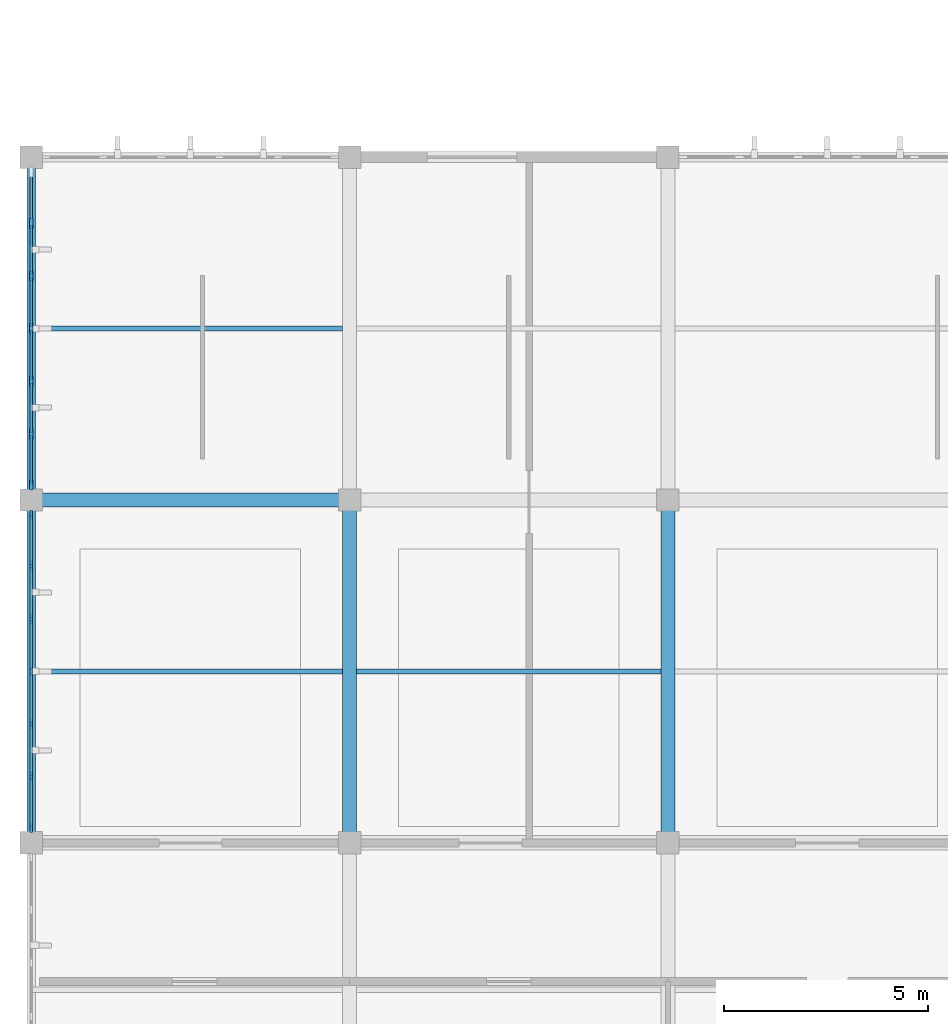
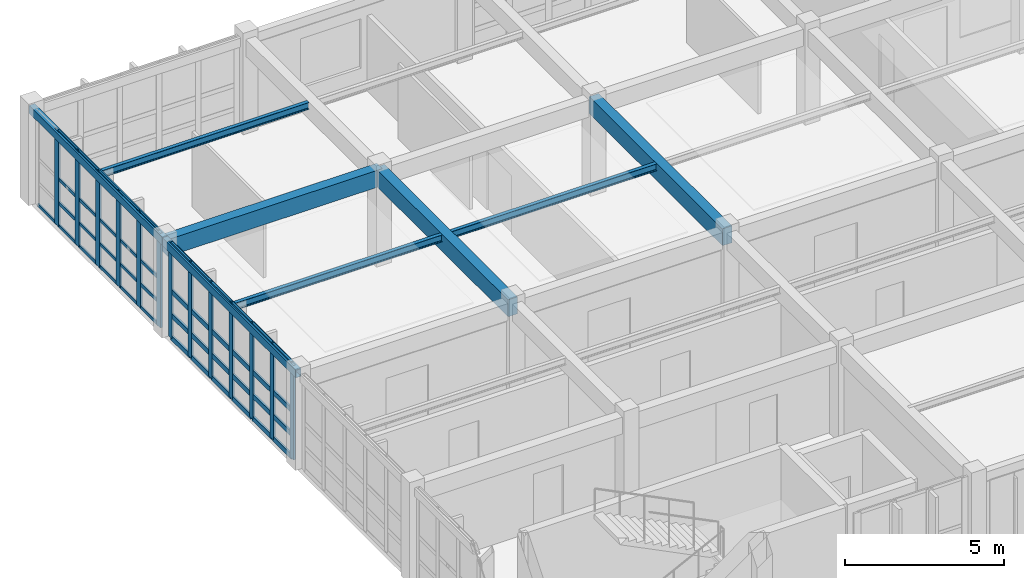
# One storey, part 8 of 35: 58 members, 8 beams, 2 elements without a shape of their own.
"""IFC4 building model written with IfcOpenShell, lengths in metres."""

from ifc_helpers import new_model, si_unit, direction, frame, origin, origin_2d, place, context, subcontext, project, spatial, rectangle, hollow_rectangle, i_section, extrude, material, material_profile, profile_set, type_object, element, aggregate, save


model = new_model("IFC4")

# Units and contexts
model_context = context("Model", 3, precision=1e-05, world=origin(), true_north=direction((0.0, 1.0)))
body_context = subcontext(model_context, "Body", "Model", "MODEL_VIEW")
ifc_project = project(units=[si_unit("LENGTHUNIT", "METRE"), si_unit("AREAUNIT", "SQUARE_METRE"), si_unit("VOLUMEUNIT", "CUBIC_METRE"), si_unit("PLANEANGLEUNIT", "RADIAN"), si_unit("MASSUNIT", "GRAM", prefix="KILO")], contexts=[model_context])

# Site, building, storey
site_placement = place(None, origin())
site = spatial("IfcSite", under=ifc_project, at=site_placement, CompositionType="ELEMENT")
building_placement = place(site_placement, origin())
building = spatial("IfcBuilding", under=site, at=building_placement, Name="Tizgana Railside Sports Hall", CompositionType="ELEMENT")
storey_placement = place(building_placement, frame((0.0, 0.0, 15.89990234375)))
storey = spatial("IfcBuildingStorey", under=building, at=storey_placement, Name="L03", CompositionType="ELEMENT", Elevation=15.89990234375)

# Beams
ifc_material_1 = material(Name="Concrete C35/45", Category="concrete")
ifc_material_profile_1 = material_profile(ifc_material_1, rectangle(XDim=0.35009765625, YDim=0.64990234375, at=origin_2d()), Name="RCB 350x650")
ifc_profile_set_1 = profile_set([ifc_material_profile_1], Name="Concrete C35/45")
beam_type_1 = type_object("IfcBeamType", Name="Concrete Beam RCB 350x650", PredefinedType="BEAM", material=ifc_profile_set_1)
for number, where, z_axis, x_axis, name in (
    (1, (15.60009765625, 15.60009765625, 3.31103515625), (0.0, 1.0, 0.0), (-1.0, 0.0, 0.0), "L03 BEM-0708"),
    (2, (23.39990234375, 15.60009765625, 3.31103515625), (0.0, 1.0, 0.0), (-1.0, 0.0, 0.0), "L03 BEM-0712"),
):
    element("IfcBeam", number, at=place(storey_placement, frame(where, z_axis=z_axis, x_axis=x_axis)), inside=storey, type_object=beam_type_1, Name=name, PredefinedType="BEAM", context=body_context, shape_type="SweptSolid", body=[
        extrude(rectangle(XDim=0.35009765625, YDim=0.64990234375, at=origin_2d()), origin(), (0.0, 0.0, 1.0), 8.39990234375),
    ])
beam_1_placement = place(storey_placement, frame((7.800048828125, 24.0, 3.31103515625), z_axis=(1.0, 0.0, 0.0), x_axis=(0.0, 1.0, 0.0)))
element("IfcBeam", 3, at=beam_1_placement, inside=storey, type_object=beam_type_1, Name="L03 BEM-0734", PredefinedType="BEAM", context=body_context, shape_type="SweptSolid", body=[
    extrude(rectangle(XDim=0.35009765625, YDim=0.64990234375, at=origin_2d()), origin(), (0.0, 0.0, 1.0), 7.800048828125),
])

# Curtain wall, members
ifc_material_2 = material(Name="Anodised aluminium and glass", Category="aluminium")
curtain_wall_type_1 = type_object("IfcCurtainWallType", Name="Unitised Curtain Wall Studio 1400", PredefinedType="NOTDEFINED", material=ifc_material_2)
curtain_wall_1_placement = place(storey_placement, origin())
curtain_wall_1 = element("IfcCurtainWall", 4, at=curtain_wall_1_placement, inside=storey, type_object=curtain_wall_type_1, Name="L03 Curtain Wall CW-0130", PredefinedType="NOTDEFINED")
ifc_material_3 = material(Name="Anodised aluminium", Category="aluminium")
ifc_material_profile_2 = material_profile(ifc_material_3, rectangle(XDim=0.070068359375, YDim=0.219970703125, at=origin_2d()), Name="Mullion 70x220")
ifc_profile_set_2 = profile_set([ifc_material_profile_2], Name="Anodised aluminium")
member_type_1 = type_object("IfcMemberType", Name="Mullion 70x220", PredefinedType="MULLION", material=ifc_profile_set_2)
member_1_placement = place(storey_placement, frame((7.800048828125, 23.635009765625, 0.0), z_axis=(0.0, 0.0, 1.0), x_axis=(1.0, 0.0, 0.0)))
member_1 = element("IfcMember", 5, at=member_1_placement, type_object=member_type_1, Name="CW-03 mullion 1", PredefinedType="MULLION", context=body_context, shape_type="SweptSolid", body=[
    extrude(rectangle(XDim=0.070068359375, YDim=0.219970703125, at=origin_2d()), origin(), (0.0, 0.0, 1.0), 3.64013671875),
])
member_2_placement = place(storey_placement, frame((7.800048828125, 22.3798828125, 0.0), z_axis=(0.0, 0.0, 1.0), x_axis=(1.0, 0.0, 0.0)))
member_2 = element("IfcMember", 6, at=member_2_placement, type_object=member_type_1, Name="CW-03 mullion 2", PredefinedType="MULLION", context=body_context, shape_type="SweptSolid", body=[
    extrude(rectangle(XDim=0.070068359375, YDim=0.219970703125, at=origin_2d()), origin(), (0.0, 0.0, 1.0), 3.64013671875),
])
member_3_placement = place(storey_placement, frame((7.800048828125, 21.090087890625, 0.0), z_axis=(0.0, 0.0, 1.0), x_axis=(1.0, 0.0, 0.0)))
member_3 = element("IfcMember", 7, at=member_3_placement, type_object=member_type_1, Name="CW-03 mullion 3", PredefinedType="MULLION", context=body_context, shape_type="SweptSolid", body=[
    extrude(rectangle(XDim=0.070068359375, YDim=0.219970703125, at=origin_2d()), origin(), (0.0, 0.0, 1.0), 3.64013671875),
])
member_4_placement = place(storey_placement, frame((7.800048828125, 19.800048828125, 0.0), z_axis=(0.0, 0.0, 1.0), x_axis=(1.0, 0.0, 0.0)))
member_4 = element("IfcMember", 8, at=member_4_placement, type_object=member_type_1, Name="CW-03 mullion 4", PredefinedType="MULLION", context=body_context, shape_type="SweptSolid", body=[
    extrude(rectangle(XDim=0.070068359375, YDim=0.219970703125, at=origin_2d()), origin(), (0.0, 0.0, 1.0), 3.64013671875),
])
member_5_placement = place(storey_placement, frame((7.800048828125, 18.510009765625, 0.0), z_axis=(0.0, 0.0, 1.0), x_axis=(1.0, 0.0, 0.0)))
member_5 = element("IfcMember", 9, at=member_5_placement, type_object=member_type_1, Name="CW-03 mullion 5", PredefinedType="MULLION", context=body_context, shape_type="SweptSolid", body=[
    extrude(rectangle(XDim=0.070068359375, YDim=0.219970703125, at=origin_2d()), origin(), (0.0, 0.0, 1.0), 3.64013671875),
])
member_6_placement = place(storey_placement, frame((7.800048828125, 17.219970703125, 0.0), z_axis=(0.0, 0.0, 1.0), x_axis=(1.0, 0.0, 0.0)))
member_6 = element("IfcMember", 10, at=member_6_placement, type_object=member_type_1, Name="CW-03 mullion 6", PredefinedType="MULLION", context=body_context, shape_type="SweptSolid", body=[
    extrude(rectangle(XDim=0.070068359375, YDim=0.219970703125, at=origin_2d()), origin(), (0.0, 0.0, 1.0), 3.64013671875),
])
member_7_placement = place(storey_placement, frame((7.800048828125, 15.965087890625, 0.0), z_axis=(0.0, 0.0, 1.0), x_axis=(1.0, 0.0, 0.0)))
member_7 = element("IfcMember", 11, at=member_7_placement, type_object=member_type_1, Name="CW-03 mullion 7", PredefinedType="MULLION", context=body_context, shape_type="SweptSolid", body=[
    extrude(rectangle(XDim=0.070068359375, YDim=0.219970703125, at=origin_2d()), origin(), (0.0, 0.0, 1.0), 3.64013671875),
])

curtain_wall_type_2 = type_object("IfcCurtainWallType", Name="Unitised Curtain Wall Climbing 1600", PredefinedType="NOTDEFINED", material=ifc_material_2)
curtain_wall_2_placement = place(storey_placement, origin())
curtain_wall_2 = element("IfcCurtainWall", 12, at=curtain_wall_2_placement, inside=storey, type_object=curtain_wall_type_2, Name="L03 Curtain Wall CW-0131", PredefinedType="NOTDEFINED")
ifc_material_profile_3 = material_profile(ifc_material_3, rectangle(XDim=0.074951171875, YDim=0.25, at=origin_2d()), Name="Mullion 75x250")
ifc_profile_set_3 = profile_set([ifc_material_profile_3], Name="Anodised aluminium")
member_type_2 = type_object("IfcMemberType", Name="Mullion 75x250", PredefinedType="MULLION", material=ifc_profile_set_3)
member_8_placement = place(storey_placement, frame((7.800048828125, 30.780029296875, 0.0), z_axis=(0.0, 0.0, 1.0), x_axis=(1.0, 0.0, 0.0)))
member_8 = element("IfcMember", 13, at=member_8_placement, type_object=member_type_2, Name="CW-04 mullion 2", PredefinedType="MULLION", context=body_context, shape_type="SweptSolid", body=[
    extrude(rectangle(XDim=0.074951171875, YDim=0.25, at=origin_2d()), origin(), (0.0, 0.0, 1.0), 3.64013671875),
])
member_9_placement = place(storey_placement, frame((7.800048828125, 29.489990234375, 0.0), z_axis=(0.0, 0.0, 1.0), x_axis=(1.0, 0.0, 0.0)))
member_9 = element("IfcMember", 14, at=member_9_placement, type_object=member_type_2, Name="CW-04 mullion 3", PredefinedType="MULLION", context=body_context, shape_type="SweptSolid", body=[
    extrude(rectangle(XDim=0.074951171875, YDim=0.25, at=origin_2d()), origin(), (0.0, 0.0, 1.0), 3.64013671875),
])
member_10_placement = place(storey_placement, frame((7.800048828125, 28.199951171875, 0.0), z_axis=(0.0, 0.0, 1.0), x_axis=(1.0, 0.0, 0.0)))
member_10 = element("IfcMember", 15, at=member_10_placement, type_object=member_type_2, Name="CW-04 mullion 4", PredefinedType="MULLION", context=body_context, shape_type="SweptSolid", body=[
    extrude(rectangle(XDim=0.074951171875, YDim=0.25, at=origin_2d()), origin(), (0.0, 0.0, 1.0), 3.64013671875),
])
member_11_placement = place(storey_placement, frame((7.800048828125, 26.909912109375, 0.0), z_axis=(0.0, 0.0, 1.0), x_axis=(1.0, 0.0, 0.0)))
member_11 = element("IfcMember", 16, at=member_11_placement, type_object=member_type_2, Name="CW-04 mullion 5", PredefinedType="MULLION", context=body_context, shape_type="SweptSolid", body=[
    extrude(rectangle(XDim=0.074951171875, YDim=0.25, at=origin_2d()), origin(), (0.0, 0.0, 1.0), 3.64013671875),
])
member_12_placement = place(storey_placement, frame((7.800048828125, 25.6201171875, 0.0), z_axis=(0.0, 0.0, 1.0), x_axis=(1.0, 0.0, 0.0)))
member_12 = element("IfcMember", 17, at=member_12_placement, type_object=member_type_2, Name="CW-04 mullion 6", PredefinedType="MULLION", context=body_context, shape_type="SweptSolid", body=[
    extrude(rectangle(XDim=0.074951171875, YDim=0.25, at=origin_2d()), origin(), (0.0, 0.0, 1.0), 3.64013671875),
])
member_13_placement = place(storey_placement, frame((7.800048828125, 24.367431640625, 0.0), z_axis=(0.0, 0.0, 1.0), x_axis=(1.0, 0.0, 0.0)))
member_13 = element("IfcMember", 18, at=member_13_placement, type_object=member_type_2, Name="CW-04 mullion 7", PredefinedType="MULLION", context=body_context, shape_type="SweptSolid", body=[
    extrude(rectangle(XDim=0.074951171875, YDim=0.25, at=origin_2d()), origin(), (0.0, 0.0, 1.0), 3.64013671875),
])

# Beams
ifc_material_4 = material(Name="Steel S355J2", Category="steel")
ifc_material_profile_4 = material_profile(ifc_material_4, i_section(OverallWidth=0.1298828125, OverallDepth=0.27001953125, WebThickness=0.006591796875, FlangeThickness=0.01025390625, FilletRadius=0.014892578125, at=origin_2d()), Name="IPE 270")
ifc_profile_set_4 = profile_set([ifc_material_profile_4], Name="Steel S355J2")
beam_type_2 = type_object("IfcBeamType", Name="Steel Joist IPE 270", PredefinedType="JOIST", material=ifc_profile_set_4)
for number, where, z_axis, x_axis, name in (
    (19, (7.800048828125, 19.800048828125, 3.5009765625), (1.0, 0.0, 0.0), (0.0, 1.0, 0.0), "L03 BEM-0737"),
    (20, (7.800048828125, 28.199951171875, 3.5009765625), (1.0, 0.0, 0.0), (0.0, 1.0, 0.0), "L03 BEM-0738"),
):
    element("IfcBeam", number, at=place(storey_placement, frame(where, z_axis=z_axis, x_axis=x_axis)), inside=storey, type_object=beam_type_2, Name=name, PredefinedType="JOIST", context=body_context, shape_type="SweptSolid", body=[
        extrude(i_section(OverallWidth=0.1298828125, OverallDepth=0.27001953125, WebThickness=0.006591796875, FlangeThickness=0.01025390625, FilletRadius=0.014892578125, at=origin_2d()), origin(), (0.0, 0.0, 1.0), 7.6298828125),
    ])
beam_2_placement = place(storey_placement, frame((15.77001953125, 19.800048828125, 3.5009765625), z_axis=(1.0, 0.0, 0.0), x_axis=(0.0, 1.0, 0.0)))
element("IfcBeam", 21, at=beam_2_placement, inside=storey, type_object=beam_type_2, Name="L03 BEM-0744", PredefinedType="JOIST", context=body_context, shape_type="SweptSolid", body=[
    extrude(i_section(OverallWidth=0.1298828125, OverallDepth=0.27001953125, WebThickness=0.006591796875, FlangeThickness=0.01025390625, FilletRadius=0.014892578125, at=origin_2d()), origin(), (0.0, 0.0, 1.0), 7.4599609375),
])
ifc_material_profile_5 = material_profile(ifc_material_4, hollow_rectangle(XDim=0.199951171875, YDim=0.300048828125, WallThickness=0.010009765625, at=origin_2d()), Name="RHS 300x200x10")
ifc_profile_set_5 = profile_set([ifc_material_profile_5], Name="Steel S355J2")
beam_type_3 = type_object("IfcBeamType", Name="Steel Spandrel RHS 300x200x10", PredefinedType="SPANDREL", material=ifc_profile_set_5)
for number, where, z_axis, x_axis, name in (
    (22, (7.800048828125, 15.60009765625, 3.486083984375), (0.0, 1.0, 0.0), (-1.0, 0.0, 0.0), "L03 BEM-0705"),
    (23, (7.800048828125, 24.0, 3.486083984375), (0.0, 1.0, 0.0), (-1.0, 0.0, 0.0), "L03 BEM-0706"),
):
    element("IfcBeam", number, at=place(storey_placement, frame(where, z_axis=z_axis, x_axis=x_axis)), inside=storey, type_object=beam_type_3, Name=name, PredefinedType="SPANDREL", context=body_context, shape_type="SweptSolid", body=[
        extrude(hollow_rectangle(XDim=0.199951171875, YDim=0.300048828125, WallThickness=0.010009765625, at=origin_2d()), origin(), (0.0, 0.0, 1.0), 8.39990234375),
    ])

# Member
ifc_material_profile_6 = material_profile(ifc_material_3, rectangle(XDim=0.054931640625, YDim=0.1201171875, at=origin_2d()), Name="Transom 55x120")
ifc_profile_set_6 = profile_set([ifc_material_profile_6], Name="Anodised aluminium")
member_type_3 = type_object("IfcMemberType", Name="Transom 55x120", PredefinedType="USERDEFINED", material=ifc_profile_set_6)
member_14_placement = place(storey_placement, frame((7.800048828125, 31.9951171875, 0.027587890625), z_axis=(0.0, -1.0, 0.0), x_axis=(1.0, 0.0, 0.0)))
member_14 = element("IfcMember", 24, at=member_14_placement, type_object=member_type_3, Name="CW-04 transom 1.1", ObjectType="TRANSOM", PredefinedType="USERDEFINED", context=body_context, shape_type="SweptSolid", body=[
    extrude(rectangle(XDim=0.054931640625, YDim=0.1201171875, at=origin_2d()), origin(), (0.0, 0.0, 1.0), 1.177734375),
])

member_15_placement = place(storey_placement, frame((7.800048828125, 30.742431640625, 0.027587890625), z_axis=(0.0, -1.0, 0.0), x_axis=(1.0, 0.0, 0.0)))
member_15 = element("IfcMember", 25, at=member_15_placement, type_object=member_type_3, Name="CW-04 transom 2.1", ObjectType="TRANSOM", PredefinedType="USERDEFINED", context=body_context, shape_type="SweptSolid", body=[
    extrude(rectangle(XDim=0.054931640625, YDim=0.1201171875, at=origin_2d()), origin(), (0.0, 0.0, 1.0), 1.21484375),
])

member_16_placement = place(storey_placement, frame((7.800048828125, 30.742431640625, 0.900146484375), z_axis=(0.0, -1.0, 0.0), x_axis=(1.0, 0.0, 0.0)))
member_16 = element("IfcMember", 26, at=member_16_placement, type_object=member_type_3, Name="CW-04 transom 2.2", ObjectType="TRANSOM", PredefinedType="USERDEFINED", context=body_context, shape_type="SweptSolid", body=[
    extrude(rectangle(XDim=0.054931640625, YDim=0.1201171875, at=origin_2d()), origin(), (0.0, 0.0, 1.0), 1.21484375),
])

member_17_placement = place(storey_placement, frame((7.800048828125, 30.742431640625, 1.820068359375), z_axis=(0.0, -1.0, 0.0), x_axis=(1.0, 0.0, 0.0)))
member_17 = element("IfcMember", 27, at=member_17_placement, type_object=member_type_3, Name="CW-04 transom 2.3", ObjectType="TRANSOM", PredefinedType="USERDEFINED", context=body_context, shape_type="SweptSolid", body=[
    extrude(rectangle(XDim=0.054931640625, YDim=0.1201171875, at=origin_2d()), origin(), (0.0, 0.0, 1.0), 1.21484375),
])

member_18_placement = place(storey_placement, frame((7.800048828125, 30.742431640625, 3.612548828125), z_axis=(0.0, -1.0, 0.0), x_axis=(1.0, 0.0, 0.0)))
member_18 = element("IfcMember", 28, at=member_18_placement, type_object=member_type_3, Name="CW-04 transom 2.4", ObjectType="TRANSOM", PredefinedType="USERDEFINED", context=body_context, shape_type="SweptSolid", body=[
    extrude(rectangle(XDim=0.054931640625, YDim=0.1201171875, at=origin_2d()), origin(), (0.0, 0.0, 1.0), 1.21484375),
])

member_19_placement = place(storey_placement, frame((7.800048828125, 29.452392578125, 0.027587890625), z_axis=(0.0, -1.0, 0.0), x_axis=(1.0, 0.0, 0.0)))
member_19 = element("IfcMember", 29, at=member_19_placement, type_object=member_type_3, Name="CW-04 transom 3.1", ObjectType="TRANSOM", PredefinedType="USERDEFINED", context=body_context, shape_type="SweptSolid", body=[
    extrude(rectangle(XDim=0.054931640625, YDim=0.1201171875, at=origin_2d()), origin(), (0.0, 0.0, 1.0), 1.21484375),
])

member_20_placement = place(storey_placement, frame((7.800048828125, 29.452392578125, 0.900146484375), z_axis=(0.0, -1.0, 0.0), x_axis=(1.0, 0.0, 0.0)))
member_20 = element("IfcMember", 30, at=member_20_placement, type_object=member_type_3, Name="CW-04 transom 3.2", ObjectType="TRANSOM", PredefinedType="USERDEFINED", context=body_context, shape_type="SweptSolid", body=[
    extrude(rectangle(XDim=0.054931640625, YDim=0.1201171875, at=origin_2d()), origin(), (0.0, 0.0, 1.0), 1.21484375),
])

member_21_placement = place(storey_placement, frame((7.800048828125, 29.452392578125, 1.820068359375), z_axis=(0.0, -1.0, 0.0), x_axis=(1.0, 0.0, 0.0)))
member_21 = element("IfcMember", 31, at=member_21_placement, type_object=member_type_3, Name="CW-04 transom 3.3", ObjectType="TRANSOM", PredefinedType="USERDEFINED", context=body_context, shape_type="SweptSolid", body=[
    extrude(rectangle(XDim=0.054931640625, YDim=0.1201171875, at=origin_2d()), origin(), (0.0, 0.0, 1.0), 1.21484375),
])

member_22_placement = place(storey_placement, frame((7.800048828125, 29.452392578125, 3.612548828125), z_axis=(0.0, -1.0, 0.0), x_axis=(1.0, 0.0, 0.0)))
member_22 = element("IfcMember", 32, at=member_22_placement, type_object=member_type_3, Name="CW-04 transom 3.4", ObjectType="TRANSOM", PredefinedType="USERDEFINED", context=body_context, shape_type="SweptSolid", body=[
    extrude(rectangle(XDim=0.054931640625, YDim=0.1201171875, at=origin_2d()), origin(), (0.0, 0.0, 1.0), 1.21484375),
])

member_23_placement = place(storey_placement, frame((7.800048828125, 28.16259765625, 0.027587890625), z_axis=(0.0, -1.0, 0.0), x_axis=(1.0, 0.0, 0.0)))
member_23 = element("IfcMember", 33, at=member_23_placement, type_object=member_type_3, Name="CW-04 transom 4.1", ObjectType="TRANSOM", PredefinedType="USERDEFINED", context=body_context, shape_type="SweptSolid", body=[
    extrude(rectangle(XDim=0.054931640625, YDim=0.1201171875, at=origin_2d()), origin(), (0.0, 0.0, 1.0), 1.215087890625),
])

member_24_placement = place(storey_placement, frame((7.800048828125, 28.16259765625, 0.900146484375), z_axis=(0.0, -1.0, 0.0), x_axis=(1.0, 0.0, 0.0)))
member_24 = element("IfcMember", 34, at=member_24_placement, type_object=member_type_3, Name="CW-04 transom 4.2", ObjectType="TRANSOM", PredefinedType="USERDEFINED", context=body_context, shape_type="SweptSolid", body=[
    extrude(rectangle(XDim=0.054931640625, YDim=0.1201171875, at=origin_2d()), origin(), (0.0, 0.0, 1.0), 1.215087890625),
])

member_25_placement = place(storey_placement, frame((7.800048828125, 28.16259765625, 1.820068359375), z_axis=(0.0, -1.0, 0.0), x_axis=(1.0, 0.0, 0.0)))
member_25 = element("IfcMember", 35, at=member_25_placement, type_object=member_type_3, Name="CW-04 transom 4.3", ObjectType="TRANSOM", PredefinedType="USERDEFINED", context=body_context, shape_type="SweptSolid", body=[
    extrude(rectangle(XDim=0.054931640625, YDim=0.1201171875, at=origin_2d()), origin(), (0.0, 0.0, 1.0), 1.215087890625),
])

member_26_placement = place(storey_placement, frame((7.800048828125, 28.16259765625, 3.612548828125), z_axis=(0.0, -1.0, 0.0), x_axis=(1.0, 0.0, 0.0)))
member_26 = element("IfcMember", 36, at=member_26_placement, type_object=member_type_3, Name="CW-04 transom 4.4", ObjectType="TRANSOM", PredefinedType="USERDEFINED", context=body_context, shape_type="SweptSolid", body=[
    extrude(rectangle(XDim=0.054931640625, YDim=0.1201171875, at=origin_2d()), origin(), (0.0, 0.0, 1.0), 1.215087890625),
])

member_27_placement = place(storey_placement, frame((7.800048828125, 26.87255859375, 0.027587890625), z_axis=(0.0, -1.0, 0.0), x_axis=(1.0, 0.0, 0.0)))
member_27 = element("IfcMember", 37, at=member_27_placement, type_object=member_type_3, Name="CW-04 transom 5.1", ObjectType="TRANSOM", PredefinedType="USERDEFINED", context=body_context, shape_type="SweptSolid", body=[
    extrude(rectangle(XDim=0.054931640625, YDim=0.1201171875, at=origin_2d()), origin(), (0.0, 0.0, 1.0), 1.215087890625),
])

member_28_placement = place(storey_placement, frame((7.800048828125, 26.87255859375, 0.900146484375), z_axis=(0.0, -1.0, 0.0), x_axis=(1.0, 0.0, 0.0)))
member_28 = element("IfcMember", 38, at=member_28_placement, type_object=member_type_3, Name="CW-04 transom 5.2", ObjectType="TRANSOM", PredefinedType="USERDEFINED", context=body_context, shape_type="SweptSolid", body=[
    extrude(rectangle(XDim=0.054931640625, YDim=0.1201171875, at=origin_2d()), origin(), (0.0, 0.0, 1.0), 1.215087890625),
])

member_29_placement = place(storey_placement, frame((7.800048828125, 26.87255859375, 1.820068359375), z_axis=(0.0, -1.0, 0.0), x_axis=(1.0, 0.0, 0.0)))
member_29 = element("IfcMember", 39, at=member_29_placement, type_object=member_type_3, Name="CW-04 transom 5.3", ObjectType="TRANSOM", PredefinedType="USERDEFINED", context=body_context, shape_type="SweptSolid", body=[
    extrude(rectangle(XDim=0.054931640625, YDim=0.1201171875, at=origin_2d()), origin(), (0.0, 0.0, 1.0), 1.215087890625),
])

member_30_placement = place(storey_placement, frame((7.800048828125, 26.87255859375, 3.612548828125), z_axis=(0.0, -1.0, 0.0), x_axis=(1.0, 0.0, 0.0)))
member_30 = element("IfcMember", 40, at=member_30_placement, type_object=member_type_3, Name="CW-04 transom 5.4", ObjectType="TRANSOM", PredefinedType="USERDEFINED", context=body_context, shape_type="SweptSolid", body=[
    extrude(rectangle(XDim=0.054931640625, YDim=0.1201171875, at=origin_2d()), origin(), (0.0, 0.0, 1.0), 1.215087890625),
])

member_31_placement = place(storey_placement, frame((7.800048828125, 25.58251953125, 0.027587890625), z_axis=(0.0, -1.0, 0.0), x_axis=(1.0, 0.0, 0.0)))
member_31 = element("IfcMember", 41, at=member_31_placement, type_object=member_type_3, Name="CW-04 transom 6.1", ObjectType="TRANSOM", PredefinedType="USERDEFINED", context=body_context, shape_type="SweptSolid", body=[
    extrude(rectangle(XDim=0.054931640625, YDim=0.1201171875, at=origin_2d()), origin(), (0.0, 0.0, 1.0), 1.177490234375),
])

member_32_placement = place(storey_placement, frame((7.800048828125, 25.58251953125, 0.900146484375), z_axis=(0.0, -1.0, 0.0), x_axis=(1.0, 0.0, 0.0)))
member_32 = element("IfcMember", 42, at=member_32_placement, type_object=member_type_3, Name="CW-04 transom 6.2", ObjectType="TRANSOM", PredefinedType="USERDEFINED", context=body_context, shape_type="SweptSolid", body=[
    extrude(rectangle(XDim=0.054931640625, YDim=0.1201171875, at=origin_2d()), origin(), (0.0, 0.0, 1.0), 1.177490234375),
])

member_33_placement = place(storey_placement, frame((7.800048828125, 25.58251953125, 1.820068359375), z_axis=(0.0, -1.0, 0.0), x_axis=(1.0, 0.0, 0.0)))
member_33 = element("IfcMember", 43, at=member_33_placement, type_object=member_type_3, Name="CW-04 transom 6.3", ObjectType="TRANSOM", PredefinedType="USERDEFINED", context=body_context, shape_type="SweptSolid", body=[
    extrude(rectangle(XDim=0.054931640625, YDim=0.1201171875, at=origin_2d()), origin(), (0.0, 0.0, 1.0), 1.177490234375),
])

member_34_placement = place(storey_placement, frame((7.800048828125, 25.58251953125, 3.612548828125), z_axis=(0.0, -1.0, 0.0), x_axis=(1.0, 0.0, 0.0)))
member_34 = element("IfcMember", 44, at=member_34_placement, type_object=member_type_3, Name="CW-04 transom 6.4", ObjectType="TRANSOM", PredefinedType="USERDEFINED", context=body_context, shape_type="SweptSolid", body=[
    extrude(rectangle(XDim=0.054931640625, YDim=0.1201171875, at=origin_2d()), origin(), (0.0, 0.0, 1.0), 1.177490234375),
])

aggregate(curtain_wall_2, [member_8, member_9, member_10, member_11, member_12, member_13, member_14, member_15, member_16, member_17, member_18, member_19, member_20, member_21, member_22, member_23, member_24, member_25, member_26, member_27, member_28, member_29, member_30, member_31, member_32, member_33, member_34])

ifc_material_profile_7 = material_profile(ifc_material_3, rectangle(XDim=0.070068359375, YDim=0.18994140625, at=origin_2d()), Name="Transom 70x190")
ifc_profile_set_7 = profile_set([ifc_material_profile_7], Name="Anodised aluminium")
member_type_4 = type_object("IfcMemberType", Name="Transom 70x190", PredefinedType="USERDEFINED", material=ifc_profile_set_7)
member_35_placement = place(storey_placement, frame((7.800048828125, 23.60009765625, 0.03515625), z_axis=(0.0, -1.0, 0.0), x_axis=(1.0, 0.0, 0.0)))
member_35 = element("IfcMember", 45, at=member_35_placement, type_object=member_type_4, Name="CW-03 transom 1.1", ObjectType="TRANSOM", PredefinedType="USERDEFINED", context=body_context, shape_type="SweptSolid", body=[
    extrude(rectangle(XDim=0.070068359375, YDim=0.18994140625, at=origin_2d()), origin(), (0.0, 0.0, 1.0), 1.18505859375),
])

member_36_placement = place(storey_placement, frame((7.800048828125, 23.60009765625, 0.900146484375), z_axis=(0.0, -1.0, 0.0), x_axis=(1.0, 0.0, 0.0)))
member_36 = element("IfcMember", 46, at=member_36_placement, type_object=member_type_4, Name="CW-03 transom 1.2", ObjectType="TRANSOM", PredefinedType="USERDEFINED", context=body_context, shape_type="SweptSolid", body=[
    extrude(rectangle(XDim=0.070068359375, YDim=0.18994140625, at=origin_2d()), origin(), (0.0, 0.0, 1.0), 1.18505859375),
])

member_37_placement = place(storey_placement, frame((7.800048828125, 23.60009765625, 1.820068359375), z_axis=(0.0, -1.0, 0.0), x_axis=(1.0, 0.0, 0.0)))
member_37 = element("IfcMember", 47, at=member_37_placement, type_object=member_type_4, Name="CW-03 transom 1.3", ObjectType="TRANSOM", PredefinedType="USERDEFINED", context=body_context, shape_type="SweptSolid", body=[
    extrude(rectangle(XDim=0.070068359375, YDim=0.18994140625, at=origin_2d()), origin(), (0.0, 0.0, 1.0), 1.18505859375),
])

member_38_placement = place(storey_placement, frame((7.800048828125, 23.60009765625, 3.60498046875), z_axis=(0.0, -1.0, 0.0), x_axis=(1.0, 0.0, 0.0)))
member_38 = element("IfcMember", 48, at=member_38_placement, type_object=member_type_4, Name="CW-03 transom 1.4", ObjectType="TRANSOM", PredefinedType="USERDEFINED", context=body_context, shape_type="SweptSolid", body=[
    extrude(rectangle(XDim=0.070068359375, YDim=0.18994140625, at=origin_2d()), origin(), (0.0, 0.0, 1.0), 1.18505859375),
])

member_39_placement = place(storey_placement, frame((7.800048828125, 22.344970703125, 0.03515625), z_axis=(0.0, -1.0, 0.0), x_axis=(1.0, 0.0, 0.0)))
member_39 = element("IfcMember", 49, at=member_39_placement, type_object=member_type_4, Name="CW-03 transom 2.1", ObjectType="TRANSOM", PredefinedType="USERDEFINED", context=body_context, shape_type="SweptSolid", body=[
    extrude(rectangle(XDim=0.070068359375, YDim=0.18994140625, at=origin_2d()), origin(), (0.0, 0.0, 1.0), 1.219970703125),
])

member_40_placement = place(storey_placement, frame((7.800048828125, 22.344970703125, 0.900146484375), z_axis=(0.0, -1.0, 0.0), x_axis=(1.0, 0.0, 0.0)))
member_40 = element("IfcMember", 50, at=member_40_placement, type_object=member_type_4, Name="CW-03 transom 2.2", ObjectType="TRANSOM", PredefinedType="USERDEFINED", context=body_context, shape_type="SweptSolid", body=[
    extrude(rectangle(XDim=0.070068359375, YDim=0.18994140625, at=origin_2d()), origin(), (0.0, 0.0, 1.0), 1.219970703125),
])

member_41_placement = place(storey_placement, frame((7.800048828125, 22.344970703125, 1.820068359375), z_axis=(0.0, -1.0, 0.0), x_axis=(1.0, 0.0, 0.0)))
member_41 = element("IfcMember", 51, at=member_41_placement, type_object=member_type_4, Name="CW-03 transom 2.3", ObjectType="TRANSOM", PredefinedType="USERDEFINED", context=body_context, shape_type="SweptSolid", body=[
    extrude(rectangle(XDim=0.070068359375, YDim=0.18994140625, at=origin_2d()), origin(), (0.0, 0.0, 1.0), 1.219970703125),
])

member_42_placement = place(storey_placement, frame((7.800048828125, 22.344970703125, 3.60498046875), z_axis=(0.0, -1.0, 0.0), x_axis=(1.0, 0.0, 0.0)))
member_42 = element("IfcMember", 52, at=member_42_placement, type_object=member_type_4, Name="CW-03 transom 2.4", ObjectType="TRANSOM", PredefinedType="USERDEFINED", context=body_context, shape_type="SweptSolid", body=[
    extrude(rectangle(XDim=0.070068359375, YDim=0.18994140625, at=origin_2d()), origin(), (0.0, 0.0, 1.0), 1.219970703125),
])

member_43_placement = place(storey_placement, frame((7.800048828125, 21.054931640625, 0.03515625), z_axis=(0.0, -1.0, 0.0), x_axis=(1.0, 0.0, 0.0)))
member_43 = element("IfcMember", 53, at=member_43_placement, type_object=member_type_4, Name="CW-03 transom 3.1", ObjectType="TRANSOM", PredefinedType="USERDEFINED", context=body_context, shape_type="SweptSolid", body=[
    extrude(rectangle(XDim=0.070068359375, YDim=0.18994140625, at=origin_2d()), origin(), (0.0, 0.0, 1.0), 1.219970703125),
])

member_44_placement = place(storey_placement, frame((7.800048828125, 21.054931640625, 0.900146484375), z_axis=(0.0, -1.0, 0.0), x_axis=(1.0, 0.0, 0.0)))
member_44 = element("IfcMember", 54, at=member_44_placement, type_object=member_type_4, Name="CW-03 transom 3.2", ObjectType="TRANSOM", PredefinedType="USERDEFINED", context=body_context, shape_type="SweptSolid", body=[
    extrude(rectangle(XDim=0.070068359375, YDim=0.18994140625, at=origin_2d()), origin(), (0.0, 0.0, 1.0), 1.219970703125),
])

member_45_placement = place(storey_placement, frame((7.800048828125, 21.054931640625, 1.820068359375), z_axis=(0.0, -1.0, 0.0), x_axis=(1.0, 0.0, 0.0)))
member_45 = element("IfcMember", 55, at=member_45_placement, type_object=member_type_4, Name="CW-03 transom 3.3", ObjectType="TRANSOM", PredefinedType="USERDEFINED", context=body_context, shape_type="SweptSolid", body=[
    extrude(rectangle(XDim=0.070068359375, YDim=0.18994140625, at=origin_2d()), origin(), (0.0, 0.0, 1.0), 1.219970703125),
])

member_46_placement = place(storey_placement, frame((7.800048828125, 21.054931640625, 3.60498046875), z_axis=(0.0, -1.0, 0.0), x_axis=(1.0, 0.0, 0.0)))
member_46 = element("IfcMember", 56, at=member_46_placement, type_object=member_type_4, Name="CW-03 transom 3.4", ObjectType="TRANSOM", PredefinedType="USERDEFINED", context=body_context, shape_type="SweptSolid", body=[
    extrude(rectangle(XDim=0.070068359375, YDim=0.18994140625, at=origin_2d()), origin(), (0.0, 0.0, 1.0), 1.219970703125),
])

member_47_placement = place(storey_placement, frame((7.800048828125, 19.764892578125, 0.03515625), z_axis=(0.0, -1.0, 0.0), x_axis=(1.0, 0.0, 0.0)))
member_47 = element("IfcMember", 57, at=member_47_placement, type_object=member_type_4, Name="CW-03 transom 4.1", ObjectType="TRANSOM", PredefinedType="USERDEFINED", context=body_context, shape_type="SweptSolid", body=[
    extrude(rectangle(XDim=0.070068359375, YDim=0.18994140625, at=origin_2d()), origin(), (0.0, 0.0, 1.0), 1.219970703125),
])

member_48_placement = place(storey_placement, frame((7.800048828125, 19.764892578125, 0.900146484375), z_axis=(0.0, -1.0, 0.0), x_axis=(1.0, 0.0, 0.0)))
member_48 = element("IfcMember", 58, at=member_48_placement, type_object=member_type_4, Name="CW-03 transom 4.2", ObjectType="TRANSOM", PredefinedType="USERDEFINED", context=body_context, shape_type="SweptSolid", body=[
    extrude(rectangle(XDim=0.070068359375, YDim=0.18994140625, at=origin_2d()), origin(), (0.0, 0.0, 1.0), 1.219970703125),
])

member_49_placement = place(storey_placement, frame((7.800048828125, 19.764892578125, 1.820068359375), z_axis=(0.0, -1.0, 0.0), x_axis=(1.0, 0.0, 0.0)))
member_49 = element("IfcMember", 59, at=member_49_placement, type_object=member_type_4, Name="CW-03 transom 4.3", ObjectType="TRANSOM", PredefinedType="USERDEFINED", context=body_context, shape_type="SweptSolid", body=[
    extrude(rectangle(XDim=0.070068359375, YDim=0.18994140625, at=origin_2d()), origin(), (0.0, 0.0, 1.0), 1.219970703125),
])

member_50_placement = place(storey_placement, frame((7.800048828125, 19.764892578125, 3.60498046875), z_axis=(0.0, -1.0, 0.0), x_axis=(1.0, 0.0, 0.0)))
member_50 = element("IfcMember", 60, at=member_50_placement, type_object=member_type_4, Name="CW-03 transom 4.4", ObjectType="TRANSOM", PredefinedType="USERDEFINED", context=body_context, shape_type="SweptSolid", body=[
    extrude(rectangle(XDim=0.070068359375, YDim=0.18994140625, at=origin_2d()), origin(), (0.0, 0.0, 1.0), 1.219970703125),
])

member_51_placement = place(storey_placement, frame((7.800048828125, 18.47509765625, 0.03515625), z_axis=(0.0, -1.0, 0.0), x_axis=(1.0, 0.0, 0.0)))
member_51 = element("IfcMember", 61, at=member_51_placement, type_object=member_type_4, Name="CW-03 transom 5.1", ObjectType="TRANSOM", PredefinedType="USERDEFINED", context=body_context, shape_type="SweptSolid", body=[
    extrude(rectangle(XDim=0.070068359375, YDim=0.18994140625, at=origin_2d()), origin(), (0.0, 0.0, 1.0), 1.22021484375),
])

member_52_placement = place(storey_placement, frame((7.800048828125, 18.47509765625, 0.900146484375), z_axis=(0.0, -1.0, 0.0), x_axis=(1.0, 0.0, 0.0)))
member_52 = element("IfcMember", 62, at=member_52_placement, type_object=member_type_4, Name="CW-03 transom 5.2", ObjectType="TRANSOM", PredefinedType="USERDEFINED", context=body_context, shape_type="SweptSolid", body=[
    extrude(rectangle(XDim=0.070068359375, YDim=0.18994140625, at=origin_2d()), origin(), (0.0, 0.0, 1.0), 1.22021484375),
])

member_53_placement = place(storey_placement, frame((7.800048828125, 18.47509765625, 1.820068359375), z_axis=(0.0, -1.0, 0.0), x_axis=(1.0, 0.0, 0.0)))
member_53 = element("IfcMember", 63, at=member_53_placement, type_object=member_type_4, Name="CW-03 transom 5.3", ObjectType="TRANSOM", PredefinedType="USERDEFINED", context=body_context, shape_type="SweptSolid", body=[
    extrude(rectangle(XDim=0.070068359375, YDim=0.18994140625, at=origin_2d()), origin(), (0.0, 0.0, 1.0), 1.22021484375),
])

member_54_placement = place(storey_placement, frame((7.800048828125, 18.47509765625, 3.60498046875), z_axis=(0.0, -1.0, 0.0), x_axis=(1.0, 0.0, 0.0)))
member_54 = element("IfcMember", 64, at=member_54_placement, type_object=member_type_4, Name="CW-03 transom 5.4", ObjectType="TRANSOM", PredefinedType="USERDEFINED", context=body_context, shape_type="SweptSolid", body=[
    extrude(rectangle(XDim=0.070068359375, YDim=0.18994140625, at=origin_2d()), origin(), (0.0, 0.0, 1.0), 1.22021484375),
])

member_55_placement = place(storey_placement, frame((7.800048828125, 17.18505859375, 0.03515625), z_axis=(0.0, -1.0, 0.0), x_axis=(1.0, 0.0, 0.0)))
member_55 = element("IfcMember", 65, at=member_55_placement, type_object=member_type_4, Name="CW-03 transom 6.1", ObjectType="TRANSOM", PredefinedType="USERDEFINED", context=body_context, shape_type="SweptSolid", body=[
    extrude(rectangle(XDim=0.070068359375, YDim=0.18994140625, at=origin_2d()), origin(), (0.0, 0.0, 1.0), 1.18505859375),
])

member_56_placement = place(storey_placement, frame((7.800048828125, 17.18505859375, 0.900146484375), z_axis=(0.0, -1.0, 0.0), x_axis=(1.0, 0.0, 0.0)))
member_56 = element("IfcMember", 66, at=member_56_placement, type_object=member_type_4, Name="CW-03 transom 6.2", ObjectType="TRANSOM", PredefinedType="USERDEFINED", context=body_context, shape_type="SweptSolid", body=[
    extrude(rectangle(XDim=0.070068359375, YDim=0.18994140625, at=origin_2d()), origin(), (0.0, 0.0, 1.0), 1.18505859375),
])

member_57_placement = place(storey_placement, frame((7.800048828125, 17.18505859375, 1.820068359375), z_axis=(0.0, -1.0, 0.0), x_axis=(1.0, 0.0, 0.0)))
member_57 = element("IfcMember", 67, at=member_57_placement, type_object=member_type_4, Name="CW-03 transom 6.3", ObjectType="TRANSOM", PredefinedType="USERDEFINED", context=body_context, shape_type="SweptSolid", body=[
    extrude(rectangle(XDim=0.070068359375, YDim=0.18994140625, at=origin_2d()), origin(), (0.0, 0.0, 1.0), 1.18505859375),
])

member_58_placement = place(storey_placement, frame((7.800048828125, 17.18505859375, 3.60498046875), z_axis=(0.0, -1.0, 0.0), x_axis=(1.0, 0.0, 0.0)))
member_58 = element("IfcMember", 68, at=member_58_placement, type_object=member_type_4, Name="CW-03 transom 6.4", ObjectType="TRANSOM", PredefinedType="USERDEFINED", context=body_context, shape_type="SweptSolid", body=[
    extrude(rectangle(XDim=0.070068359375, YDim=0.18994140625, at=origin_2d()), origin(), (0.0, 0.0, 1.0), 1.18505859375),
])

aggregate(curtain_wall_1, [member_1, member_2, member_3, member_4, member_5, member_6, member_7, member_35, member_36, member_37, member_38, member_39, member_40, member_41, member_42, member_43, member_44, member_45, member_46, member_47, member_48, member_49, member_50, member_51, member_52, member_53, member_54, member_55, member_56, member_57, member_58])

save(model, "model.ifc")
